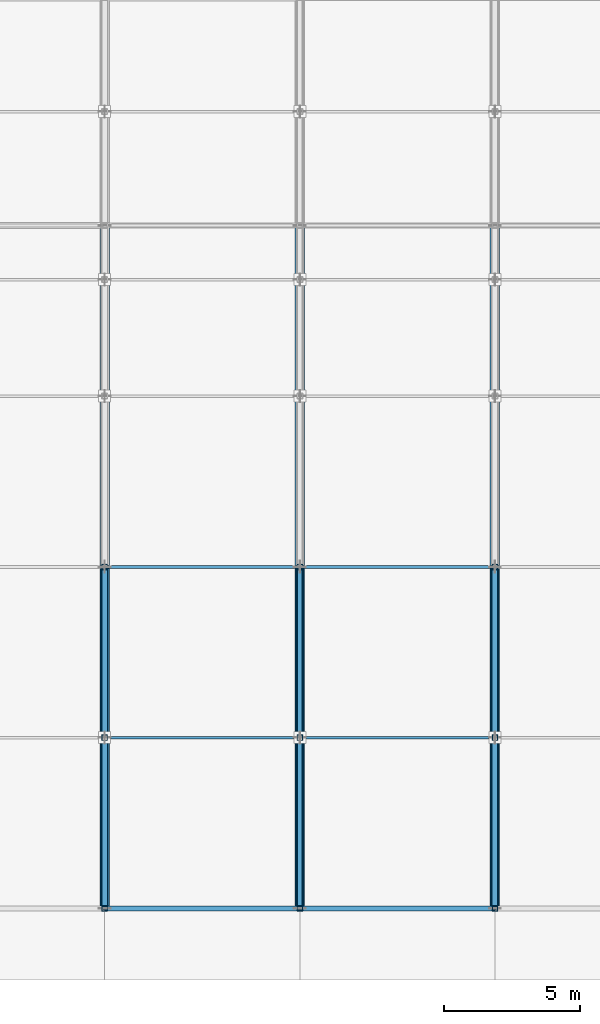
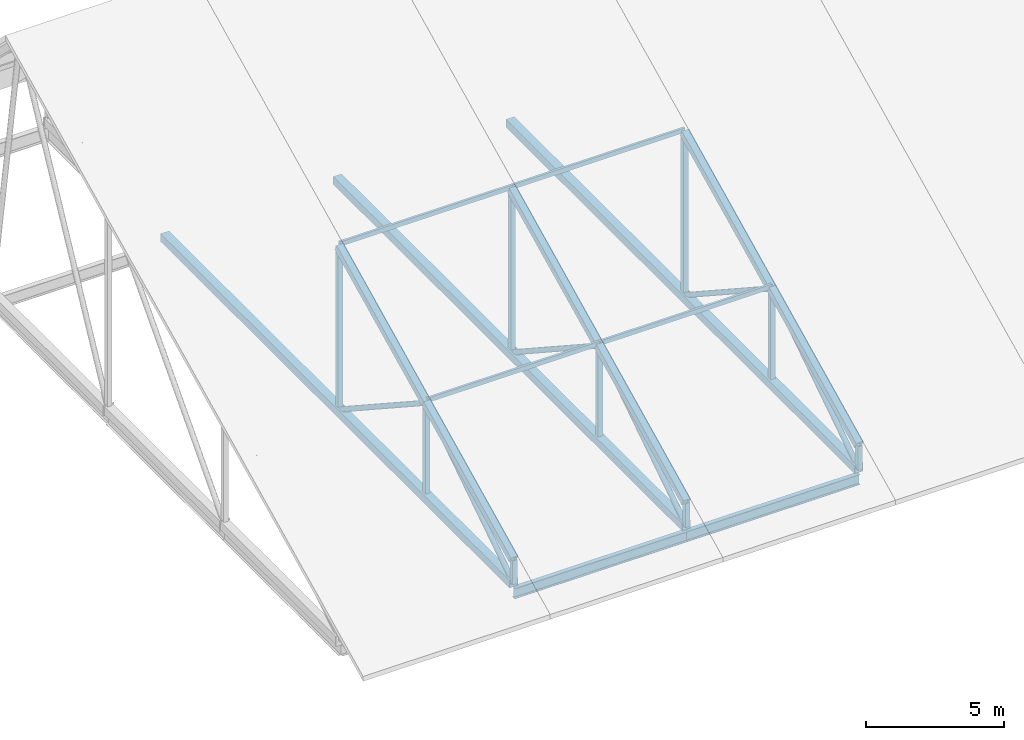
# One storey, part 25 of 99: 28 members, 2 beams.
"""IFC4 building model written with IfcOpenShell, lengths in metres."""

from ifc_helpers import new_model, si_unit, direction, frame, origin, origin_2d, place, context, subcontext, project, spatial, hollow_rectangle, hollow_circle, i_section, extrude, material, material_profile, profile_set, type_object, element, save


model = new_model("IFC4")

# Units and contexts
model_context = context("Model", 3, precision=1e-05, world=origin(), true_north=direction((0.0, 1.0)))
body_context = subcontext(model_context, "Body", "Model", "MODEL_VIEW")
ifc_project = project(units=[si_unit("LENGTHUNIT", "METRE"), si_unit("AREAUNIT", "SQUARE_METRE"), si_unit("VOLUMEUNIT", "CUBIC_METRE"), si_unit("PLANEANGLEUNIT", "RADIAN"), si_unit("MASSUNIT", "GRAM", prefix="KILO")], contexts=[model_context])

# Site, building, storey
site_placement = place(None, origin())
site = spatial("IfcSite", under=ifc_project, at=site_placement, CompositionType="ELEMENT")
building_placement = place(site_placement, origin())
building = spatial("IfcBuilding", under=site, at=building_placement, Name="Qelthora Terrace Specialist Clinic", CompositionType="ELEMENT")
storey_placement = place(building_placement, frame((0.0, 0.0, 9.0)))
storey = spatial("IfcBuildingStorey", under=building, at=storey_placement, Name="L02", CompositionType="ELEMENT", Elevation=9.0)

# Members
ifc_material = material(Name="Steel S355", Category="steel")
ifc_material_profile_1 = material_profile(ifc_material, hollow_circle(Radius=0.109619140625, WallThickness=0.010009765625, at=origin_2d()), Name="CHS219X10")
ifc_profile_set_1 = profile_set([ifc_material_profile_1], Name="Steel S355")
member_type_1 = type_object("IfcMemberType", Name="MEM-BRACE-CHS219", PredefinedType="BRACE", material=ifc_profile_set_1)
for number, where, z_axis, x_axis, name in (
    (1, (64.800048828125, 0.0, -0.050048828125), (0.0, 0.836962185981, 0.547260723273), (-1.0, 0.0, 0.0), "Hall roof truss TR-2 diagonal web 1"),
    (2, (64.800048828125, 6.300048828125, 4.0693359375), (0.0, 0.836962185981, -0.547260723273), (-1.0, 0.0, 0.0), "Hall roof truss TR-2 diagonal web 2"),
    (3, (72.0, 0.0, -0.050048828125), (0.0, 0.836962185981, 0.547260723273), (-1.0, 0.0, 0.0), "Hall roof truss TR-3 diagonal web 1"),
    (4, (72.0, 6.300048828125, 4.0693359375), (0.0, 0.836962185981, -0.547260723273), (-1.0, 0.0, 0.0), "Hall roof truss TR-3 diagonal web 2"),
    (5, (79.199951171875, 0.0, -0.050048828125), (0.0, 0.836962185981, 0.547260723273), (-1.0, 0.0, 0.0), "Hall roof truss TR-4 diagonal web 1"),
    (6, (79.199951171875, 6.300048828125, 4.0693359375), (0.0, 0.836962185981, -0.547260723273), (-1.0, 0.0, 0.0), "Hall roof truss TR-4 diagonal web 2"),
):
    element("IfcMember", number, at=place(storey_placement, frame(where, z_axis=z_axis, x_axis=x_axis)), inside=storey, type_object=member_type_1, Name=name, PredefinedType="BRACE", context=body_context, shape_type="SweptSolid", body=[
        extrude(hollow_circle(Radius=0.109619140625, WallThickness=0.010009765625, at=origin_2d()), origin(), (0.0, 0.0, 1.0), 7.52734375),
    ])
ifc_material_profile_2 = material_profile(ifc_material, hollow_rectangle(XDim=0.199951171875, YDim=0.199951171875, WallThickness=0.010009765625, at=origin_2d()), Name="HSS200X200X10")
ifc_profile_set_2 = profile_set([ifc_material_profile_2], Name="Steel S355")
member_type_2 = type_object("IfcMemberType", Name="MEM-BRACE-HSS200", PredefinedType="BRACE", material=ifc_profile_set_2)
member_1_placement = place(storey_placement, frame((64.800048828125, 0.0, -0.050048828125), z_axis=(0.0, 0.0, 1.0), x_axis=(1.0, 0.0, 0.0)))
element("IfcMember", 7, at=member_1_placement, inside=storey, type_object=member_type_2, Name="Hall roof truss TR-2 vertical web 1", PredefinedType="BRACE", context=body_context, shape_type="SweptSolid", body=[
    extrude(hollow_rectangle(XDim=0.199951171875, YDim=0.199951171875, WallThickness=0.010009765625, at=origin_2d()), origin(), (0.0, 0.0, 1.0), 1.04736328125),
])
member_2_placement = place(storey_placement, frame((64.800048828125, 6.300048828125, -0.050048828125), z_axis=(0.0, 0.0, 1.0), x_axis=(1.0, 0.0, 0.0)))
element("IfcMember", 8, at=member_2_placement, inside=storey, type_object=member_type_2, Name="Hall roof truss TR-2 vertical web 2", PredefinedType="BRACE", context=body_context, shape_type="SweptSolid", body=[
    extrude(hollow_rectangle(XDim=0.199951171875, YDim=0.199951171875, WallThickness=0.010009765625, at=origin_2d()), origin(), (0.0, 0.0, 1.0), 4.119384765625),
])
member_3_placement = place(storey_placement, frame((64.800048828125, 12.60009765625, -0.050048828125), z_axis=(0.0, 0.0, 1.0), x_axis=(1.0, 0.0, 0.0)))
element("IfcMember", 9, at=member_3_placement, inside=storey, type_object=member_type_2, Name="Hall roof truss TR-2 vertical web 3", PredefinedType="BRACE", context=body_context, shape_type="SweptSolid", body=[
    extrude(hollow_rectangle(XDim=0.199951171875, YDim=0.199951171875, WallThickness=0.010009765625, at=origin_2d()), origin(), (0.0, 0.0, 1.0), 7.19140625),
])
member_4_placement = place(storey_placement, frame((72.0, 0.0, -0.050048828125), z_axis=(0.0, 0.0, 1.0), x_axis=(1.0, 0.0, 0.0)))
element("IfcMember", 10, at=member_4_placement, inside=storey, type_object=member_type_2, Name="Hall roof truss TR-3 vertical web 1", PredefinedType="BRACE", context=body_context, shape_type="SweptSolid", body=[
    extrude(hollow_rectangle(XDim=0.199951171875, YDim=0.199951171875, WallThickness=0.010009765625, at=origin_2d()), origin(), (0.0, 0.0, 1.0), 1.04736328125),
])
member_5_placement = place(storey_placement, frame((72.0, 6.300048828125, -0.050048828125), z_axis=(0.0, 0.0, 1.0), x_axis=(1.0, 0.0, 0.0)))
element("IfcMember", 11, at=member_5_placement, inside=storey, type_object=member_type_2, Name="Hall roof truss TR-3 vertical web 2", PredefinedType="BRACE", context=body_context, shape_type="SweptSolid", body=[
    extrude(hollow_rectangle(XDim=0.199951171875, YDim=0.199951171875, WallThickness=0.010009765625, at=origin_2d()), origin(), (0.0, 0.0, 1.0), 4.119384765625),
])
member_6_placement = place(storey_placement, frame((72.0, 12.60009765625, -0.050048828125), z_axis=(0.0, 0.0, 1.0), x_axis=(1.0, 0.0, 0.0)))
element("IfcMember", 12, at=member_6_placement, inside=storey, type_object=member_type_2, Name="Hall roof truss TR-3 vertical web 3", PredefinedType="BRACE", context=body_context, shape_type="SweptSolid", body=[
    extrude(hollow_rectangle(XDim=0.199951171875, YDim=0.199951171875, WallThickness=0.010009765625, at=origin_2d()), origin(), (0.0, 0.0, 1.0), 7.19140625),
])
member_7_placement = place(storey_placement, frame((79.199951171875, 0.0, -0.050048828125), z_axis=(0.0, 0.0, 1.0), x_axis=(1.0, 0.0, 0.0)))
element("IfcMember", 13, at=member_7_placement, inside=storey, type_object=member_type_2, Name="Hall roof truss TR-4 vertical web 1", PredefinedType="BRACE", context=body_context, shape_type="SweptSolid", body=[
    extrude(hollow_rectangle(XDim=0.199951171875, YDim=0.199951171875, WallThickness=0.010009765625, at=origin_2d()), origin(), (0.0, 0.0, 1.0), 1.04736328125),
])
member_8_placement = place(storey_placement, frame((79.199951171875, 6.300048828125, -0.050048828125), z_axis=(0.0, 0.0, 1.0), x_axis=(1.0, 0.0, 0.0)))
element("IfcMember", 14, at=member_8_placement, inside=storey, type_object=member_type_2, Name="Hall roof truss TR-4 vertical web 2", PredefinedType="BRACE", context=body_context, shape_type="SweptSolid", body=[
    extrude(hollow_rectangle(XDim=0.199951171875, YDim=0.199951171875, WallThickness=0.010009765625, at=origin_2d()), origin(), (0.0, 0.0, 1.0), 4.119384765625),
])
member_9_placement = place(storey_placement, frame((79.199951171875, 12.60009765625, -0.050048828125), z_axis=(0.0, 0.0, 1.0), x_axis=(1.0, 0.0, 0.0)))
element("IfcMember", 15, at=member_9_placement, inside=storey, type_object=member_type_2, Name="Hall roof truss TR-4 vertical web 3", PredefinedType="BRACE", context=body_context, shape_type="SweptSolid", body=[
    extrude(hollow_rectangle(XDim=0.199951171875, YDim=0.199951171875, WallThickness=0.010009765625, at=origin_2d()), origin(), (0.0, 0.0, 1.0), 7.19140625),
])
ifc_material_profile_3 = material_profile(ifc_material, hollow_rectangle(XDim=0.300048828125, YDim=0.300048828125, WallThickness=0.011962890625, at=origin_2d()), Name="HSS300X300X12")
ifc_profile_set_3 = profile_set([ifc_material_profile_3], Name="Steel S355")
member_type_3 = type_object("IfcMemberType", Name="MEM-CHORD-HSS300", PredefinedType="CHORD", material=ifc_profile_set_3)
for number, where, z_axis, x_axis, name in (
    (16, (64.800048828125, 0.0, 0.997314453125), (0.0, 0.898834383222, 0.438288434183), (-1.0, 0.0, 0.0), "Hall roof truss TR-2 top chord 1"),
    (17, (64.800048828125, 6.300048828125, 4.0693359375), (0.0, 0.898834383222, 0.438288434183), (-1.0, 0.0, 0.0), "Hall roof truss TR-2 top chord 2"),
    (18, (72.0, 0.0, 0.997314453125), (0.0, 0.898834383222, 0.438288434183), (-1.0, 0.0, 0.0), "Hall roof truss TR-3 top chord 1"),
    (19, (72.0, 6.300048828125, 4.0693359375), (0.0, 0.898834383222, 0.438288434183), (-1.0, 0.0, 0.0), "Hall roof truss TR-3 top chord 2"),
    (20, (79.199951171875, 0.0, 0.997314453125), (0.0, 0.898834383222, 0.438288434183), (-1.0, 0.0, 0.0), "Hall roof truss TR-4 top chord 1"),
    (21, (79.199951171875, 6.300048828125, 4.0693359375), (0.0, 0.898834383222, 0.438288434183), (-1.0, 0.0, 0.0), "Hall roof truss TR-4 top chord 2"),
):
    element("IfcMember", number, at=place(storey_placement, frame(where, z_axis=z_axis, x_axis=x_axis)), inside=storey, type_object=member_type_3, Name=name, PredefinedType="CHORD", context=body_context, shape_type="SweptSolid", body=[
        extrude(hollow_rectangle(XDim=0.300048828125, YDim=0.300048828125, WallThickness=0.011962890625, at=origin_2d()), origin(), (0.0, 0.0, 1.0), 7.009033203125),
    ])
ifc_material_profile_4 = material_profile(ifc_material, hollow_rectangle(XDim=0.35009765625, YDim=0.35009765625, WallThickness=0.01611328125, at=origin_2d()), Name="HSS350X350X16")
ifc_profile_set_4 = profile_set([ifc_material_profile_4], Name="Steel S355")
member_type_4 = type_object("IfcMemberType", Name="MEM-CHORD-HSS350", PredefinedType="CHORD", material=ifc_profile_set_4)
for number, where, z_axis, x_axis, name in (
    (22, (64.800048828125, 0.0, -0.050048828125), (0.0, 1.0, 0.0), (-1.0, 0.0, 0.0), "Hall roof truss TR-2 bottom chord 1"),
    (23, (72.0, 0.0, -0.050048828125), (0.0, 1.0, 0.0), (-1.0, 0.0, 0.0), "Hall roof truss TR-3 bottom chord 1"),
    (24, (79.199951171875, 0.0, -0.050048828125), (0.0, 1.0, 0.0), (-1.0, 0.0, 0.0), "Hall roof truss TR-4 bottom chord 1"),
):
    element("IfcMember", number, at=place(storey_placement, frame(where, z_axis=z_axis, x_axis=x_axis)), inside=storey, type_object=member_type_4, Name=name, PredefinedType="CHORD", context=body_context, shape_type="SweptSolid", body=[
        extrude(hollow_rectangle(XDim=0.35009765625, YDim=0.35009765625, WallThickness=0.01611328125, at=origin_2d()), origin(), (0.0, 0.0, 1.0), 25.199951171875),
    ])
ifc_material_profile_5 = material_profile(ifc_material, hollow_rectangle(XDim=0.10009765625, YDim=0.199951171875, WallThickness=0.008056640625, at=origin_2d()), Name="HSS200X100X8")
ifc_profile_set_5 = profile_set([ifc_material_profile_5], Name="Steel S355")
member_type_5 = type_object("IfcMemberType", Name="MEM-PURLIN-HSS200", PredefinedType="PURLIN", material=ifc_profile_set_5)
for number, where, z_axis, x_axis, name in (
    (25, (64.800048828125, 6.300048828125, 4.185302734375), (1.0, 0.0, 0.0), (0.0, 1.0, 0.0), "Hall roof purlin V1-PRL-002"),
    (26, (72.0, 6.300048828125, 4.185302734375), (1.0, 0.0, 0.0), (0.0, 1.0, 0.0), "Hall roof purlin V1-PRL-003"),
    (27, (64.800048828125, 12.60009765625, 7.25732421875), (1.0, 0.0, 0.0), (0.0, 1.0, 0.0), "Hall roof purlin V1-PRL-007"),
    (28, (72.0, 12.60009765625, 7.25732421875), (1.0, 0.0, 0.0), (0.0, 1.0, 0.0), "Hall roof purlin V1-PRL-008"),
):
    element("IfcMember", number, at=place(storey_placement, frame(where, z_axis=z_axis, x_axis=x_axis)), inside=storey, type_object=member_type_5, Name=name, PredefinedType="PURLIN", context=body_context, shape_type="SweptSolid", body=[
        extrude(hollow_rectangle(XDim=0.10009765625, YDim=0.199951171875, WallThickness=0.008056640625, at=origin_2d()), origin(), (0.0, 0.0, 1.0), 7.199951171875),
    ])

# Beams
ifc_material_profile_6 = material_profile(ifc_material, i_section(OverallWidth=0.19091796875, OverallDepth=0.4599609375, WebThickness=0.010009765625, FlangeThickness=0.01611328125, FilletRadius=0.012939453125, at=origin_2d()), Name="W460X82")
ifc_profile_set_6 = profile_set([ifc_material_profile_6], Name="Steel S355")
beam_type = type_object("IfcBeamType", Name="SPD-W460X82", PredefinedType="SPANDREL", material=ifc_profile_set_6)
for number, where, z_axis, x_axis, name in (
    (29, (64.800048828125, 0.0, -0.47998046875), (1.0, 0.0, 0.0), (0.0, 1.0, 0.0), "Girder BMX-L02-0557"),
    (30, (72.0, 0.0, -0.47998046875), (1.0, 0.0, 0.0), (0.0, 1.0, 0.0), "Girder BMX-L02-0558"),
):
    element("IfcBeam", number, at=place(storey_placement, frame(where, z_axis=z_axis, x_axis=x_axis)), inside=storey, type_object=beam_type, Name=name, PredefinedType="SPANDREL", context=body_context, shape_type="SweptSolid", body=[
        extrude(i_section(OverallWidth=0.19091796875, OverallDepth=0.4599609375, WebThickness=0.010009765625, FlangeThickness=0.01611328125, FilletRadius=0.012939453125, at=origin_2d()), origin(), (0.0, 0.0, 1.0), 7.199951171875),
    ])

save(model, "model.ifc")
